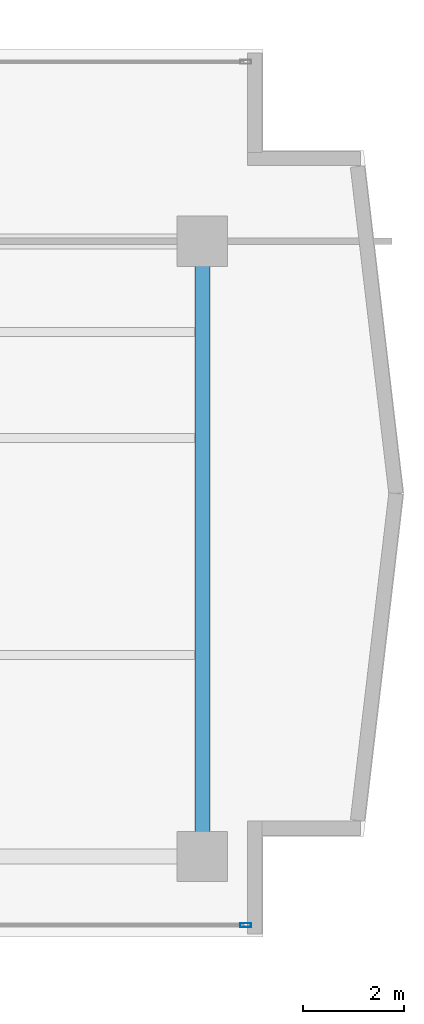
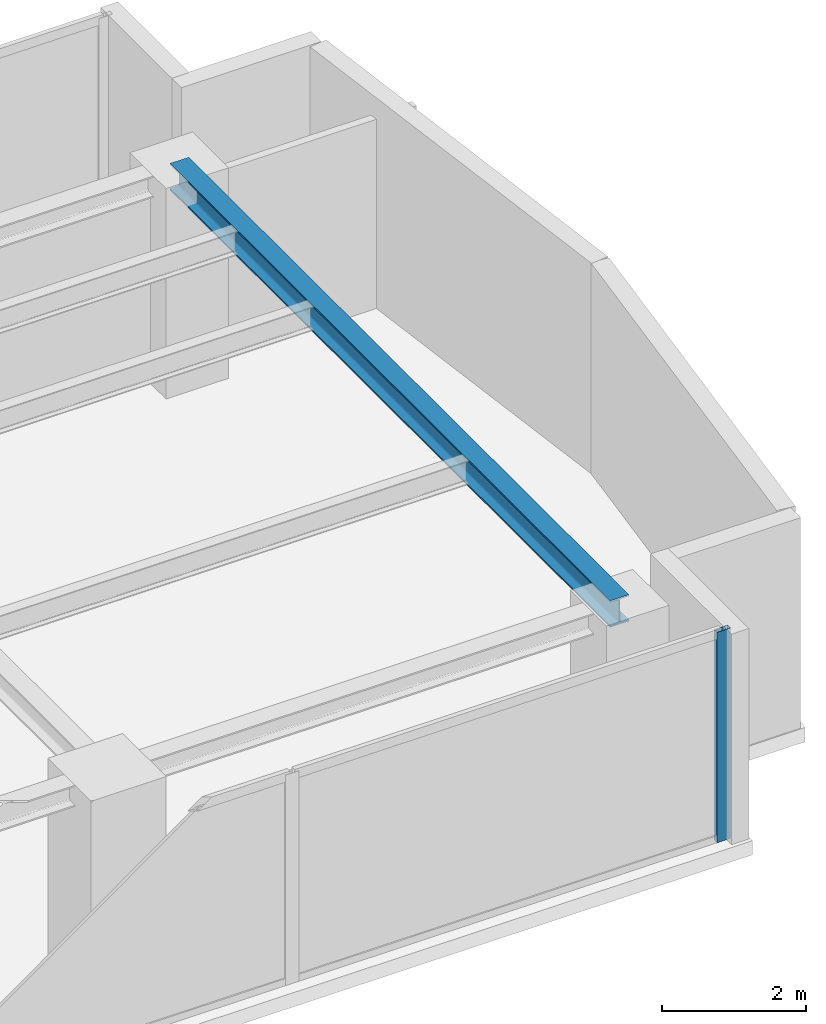
# One storey, part 12 of 26: 1 beam, 1 member, 1 element without a shape of its own.
"""IFC4 building model written with IfcOpenShell, lengths in metres."""

import ifcopenshell
import ifcopenshell.guid

model = None  # the IFC model being written
_history = None  # IfcOwnerHistory: only IFC2X3 demands one
_inside = {}  # id of a spatial element -> (the spatial element, [elements in it])
_under = {}  # id of a project, library or spatial element -> (it, [spatial elements below it])
_declared = {}  # id of a project -> (the project, [libraries it declares])
_typed = {}  # id of a type object -> (the type object, [elements of that type])
_made_of = {}  # id of a material, layer set ... -> (it, [elements and type objects made of it])


def new_model(schema):
    """Start an empty IFC model of exactly this schema.

    Asked for "IFC4X3", IfcOpenShell would pick the latest addendum, in which some entities
    have other attributes; the version numbers below select the first issue.
    IFC2X3 requires an IfcOwnerHistory on every rooted entity: one is made here for all.
    """
    global model, _history
    if schema == "IFC4X3":
        model = ifcopenshell.file(schema_version=(4, 3, 0, 0))
    else:
        model = ifcopenshell.file(schema=schema)
    _inside.clear()
    _under.clear()
    _declared.clear()
    _typed.clear()
    _made_of.clear()
    _history = None
    if model.schema == "IFC2X3":
        org = make("IfcOrganization", Name="unknown")
        user = make(
            "IfcPersonAndOrganization",
            ThePerson=make("IfcPerson", FamilyName="unknown"),
            TheOrganization=org,
        )
        app = make(
            "IfcApplication",
            ApplicationDeveloper=org,
            Version="unknown",
            ApplicationFullName="unknown",
            ApplicationIdentifier="unknown",
        )
        _history = make(
            "IfcOwnerHistory",
            OwningUser=user,
            OwningApplication=app,
            ChangeAction="ADDED",
            CreationDate=0,
        )
    return model


def make(cls, **values):
    """One entity of the class cls with the attributes given. An attribute that is None is left unset."""
    return model.create_entity(
        cls, **{name: value for name, value in values.items() if value is not None}
    )


def rooted(cls, **values):
    """An entity with a GlobalId (a new one), such as an element, a storey or a relation."""
    return make(cls, GlobalId=ifcopenshell.guid.new(), OwnerHistory=_history, **values)


def si_unit(unit_type, name, prefix=None):
    """IfcSIUnit, for example si_unit("LENGTHUNIT", "METRE", prefix="MILLI")."""
    return make("IfcSIUnit", UnitType=unit_type, Prefix=prefix, Name=name)


def assignment(units):
    """IfcUnitAssignment: the units of a project."""
    return None if units is None else make("IfcUnitAssignment", Units=units)


def point(xyz):
    """IfcCartesianPoint."""
    return None if xyz is None else make("IfcCartesianPoint", Coordinates=xyz)


def direction(xyz):
    """IfcDirection."""
    return None if xyz is None else make("IfcDirection", DirectionRatios=xyz)


def frame(location, z_axis=None, x_axis=None):
    """IfcAxis2Placement3D, a coordinate frame: its origin and axes. An axis left out is left unset."""
    return make(
        "IfcAxis2Placement3D",
        Location=point(location),
        Axis=direction(z_axis),
        RefDirection=direction(x_axis),
    )


def frame_2d(location, x_axis=None):
    """IfcAxis2Placement2D, a coordinate frame in the plane: its origin and x axis."""
    return make(
        "IfcAxis2Placement2D", Location=point(location), RefDirection=direction(x_axis)
    )


def origin():
    """The frame at (0, 0, 0) with its axes left unset."""
    return frame((0.0, 0.0, 0.0))


def origin_with_axes():
    """The frame at (0, 0, 0) with the z axis (0, 0, 1) and the x axis (1, 0, 0) written out."""
    return frame((0.0, 0.0, 0.0), z_axis=(0.0, 0.0, 1.0), x_axis=(1.0, 0.0, 0.0))


def origin_2d():
    """The frame at (0, 0) in the plane with its x axis left unset."""
    return frame_2d((0.0, 0.0))


def place(relative_to, where):
    """IfcLocalPlacement: puts the frame where relative to a parent placement (None: the world)."""
    return make(
        "IfcLocalPlacement", PlacementRelTo=relative_to, RelativePlacement=where
    )


def context(
    kind, dimensions, precision=None, world=None, true_north=None, identifier=None
):
    """IfcGeometricRepresentationContext, for example the 3D "Model" context."""
    return make(
        "IfcGeometricRepresentationContext",
        ContextIdentifier=identifier,
        ContextType=kind,
        CoordinateSpaceDimension=dimensions,
        Precision=precision,
        WorldCoordinateSystem=world,
        TrueNorth=true_north,
    )


def subcontext(parent, identifier, kind, view, scale=None):
    """IfcGeometricRepresentationSubContext, for example "Body" below "Model"."""
    return make(
        "IfcGeometricRepresentationSubContext",
        ContextIdentifier=identifier,
        ContextType=kind,
        ParentContext=parent,
        TargetScale=scale,
        TargetView=view,
    )


def project(units=None, contexts=None):
    """IfcProject with its units and contexts."""
    return rooted(
        "IfcProject",
        Name="project",
        RepresentationContexts=contexts,
        UnitsInContext=assignment(units),
    )


def spatial(cls, under=None, at=None, **own):
    """A site, building, storey or space (cls), placed at a placement, below another one or the project."""
    s = rooted(cls, ObjectPlacement=at, **own)
    if under is not None:
        _under.setdefault(under.id(), (under, []))[1].append(s)
    return s


def profile(cls, at=None, kind="AREA", **sizes):
    """A parametric profile (cls). Its sizes go by their IFC names, for example OverallWidth=200.0."""
    return make(cls, ProfileType=kind, Position=at, **sizes)


def hollow_rectangle(**sizes):
    """IfcRectangleHollowProfileDef."""
    return profile("IfcRectangleHollowProfileDef", **sizes)


def i_section(**sizes):
    """IfcIShapeProfileDef."""
    return profile("IfcIShapeProfileDef", **sizes)


def extrude(swept, where, along, depth):
    """IfcExtrudedAreaSolid: the profile swept, set in the frame where, extruded along a direction by depth."""
    return make(
        "IfcExtrudedAreaSolid",
        SweptArea=swept,
        Position=where,
        ExtrudedDirection=direction(along),
        Depth=depth,
    )


def shape(context_of_items, identifier, shape_type, items):
    """IfcShapeRepresentation: the items that make up one representation, for example the "Body"."""
    return make(
        "IfcShapeRepresentation",
        ContextOfItems=context_of_items,
        RepresentationIdentifier=identifier,
        RepresentationType=shape_type,
        Items=items,
    )


def source(mapping_origin, context_of_items, identifier, shape_type, items):
    """IfcRepresentationMap: a shape defined once, which mapped items show again and again."""
    return make(
        "IfcRepresentationMap",
        MappingOrigin=mapping_origin,
        MappedRepresentation=shape(context_of_items, identifier, shape_type, items),
    )


def transform(
    local_origin,
    x_axis=None,
    y_axis=None,
    z_axis=None,
    scale=None,
    scale2=None,
    scale3=None,
    uniform=True,
):
    """IfcCartesianTransformationOperator3D, or its non-uniform kind. x_axis, y_axis, z_axis: its Axis1, 2, 3."""
    if uniform:
        return make(
            "IfcCartesianTransformationOperator3D",
            Axis1=direction(x_axis),
            Axis2=direction(y_axis),
            LocalOrigin=point(local_origin),
            Scale=scale,
            Axis3=direction(z_axis),
        )
    return make(
        "IfcCartesianTransformationOperator3DnonUniform",
        Axis1=direction(x_axis),
        Axis2=direction(y_axis),
        LocalOrigin=point(local_origin),
        Scale=scale,
        Axis3=direction(z_axis),
        Scale2=scale2,
        Scale3=scale3,
    )


def mapped(mapping_source, mapping_target):
    """IfcMappedItem: shows the shape of a source again, moved by a transform."""
    return make(
        "IfcMappedItem", MappingSource=mapping_source, MappingTarget=mapping_target
    )


def material(Name=None, Category=None):
    """IfcMaterial."""
    return make("IfcMaterial", Name=Name, Category=Category)


def layer(
    of_material, thickness, ventilated=None, Name=None, Category=None, Priority=None
):
    """IfcMaterialLayer: one layer of a wall or slab, of a material (None: an air gap)."""
    return make(
        "IfcMaterialLayer",
        Material=of_material,
        LayerThickness=thickness,
        IsVentilated=ventilated,
        Name=Name,
        Category=Category,
        Priority=Priority,
    )


def layer_set(layers, Name=None):
    """IfcMaterialLayerSet."""
    return make("IfcMaterialLayerSet", MaterialLayers=layers, LayerSetName=Name)


def material_profile(
    of_material, cross_section, Name=None, Category=None, Priority=None
):
    """IfcMaterialProfile: a cross section and its material."""
    return make(
        "IfcMaterialProfile",
        Name=Name,
        Material=of_material,
        Profile=cross_section,
        Priority=Priority,
        Category=Category,
    )


def profile_set(profiles, Name=None, composite=None):
    """IfcMaterialProfileSet."""
    return make(
        "IfcMaterialProfileSet",
        Name=Name,
        MaterialProfiles=profiles,
        CompositeProfile=composite,
    )


def made_of(thing, what):
    """Note that an element or type object is made of a material, layer set ...; save() writes the relation."""
    if what is not None:
        _made_of.setdefault(what.id(), (what, []))[1].append(thing)
    return thing


def type_object(cls, material=None, **own):
    """A type object (cls), such as IfcWallType, which elements share."""
    return made_of(rooted(cls, **own), material)


def element(
    cls,
    number,
    at=None,
    inside=None,
    cuts=None,
    type_object=None,
    material=None,
    context=None,
    identifier="Body",
    shape_type=None,
    held_by="IfcProductDefinitionShape",
    body=None,
    shapes=None,
    **own,
):
    """One element of the class cls, such as IfcWall. Its Tag is "e" and its number.

    at: its placement. inside: the storey or other place that contains it. cuts: it is an
    opening in that element (IfcRelVoidsElement). A single representation is given by context,
    identifier, shape_type and body (its items); several are given by shapes. held_by: the class
    of the entity that holds the representations. save() writes the other relations.
    """
    e = rooted(cls, Tag="e%d" % number, ObjectPlacement=at, **own)
    if body is not None:
        shapes = [shape(context, identifier, shape_type, body)]
    if shapes is not None:
        e.Representation = make(held_by, Representations=shapes)
    if inside is not None:
        _inside.setdefault(inside.id(), (inside, []))[1].append(e)
    if cuts is not None:
        rooted(
            "IfcRelVoidsElement", RelatingBuildingElement=cuts, RelatedOpeningElement=e
        )
    if type_object is not None:
        _typed.setdefault(type_object.id(), (type_object, []))[1].append(e)
    return made_of(e, material)


def aggregate(whole, parts):
    """IfcRelAggregates: a whole, such as a stair, and the parts it consists of."""
    return rooted("IfcRelAggregates", RelatingObject=whole, RelatedObjects=parts)


def save(model, path):
    """Write the relations noted so far, then the file.

    IfcRelAggregates (storeys below a building ...), IfcRelContainedInSpatialStructure (elements
    in a storey), IfcRelDefinesByType, IfcRelAssociatesMaterial and IfcRelDeclares: one each for
    every whole, place, type object, material and project.
    """
    for whole, parts in _under.values():
        aggregate(whole, parts)
    for where, things in _inside.values():
        rooted(
            "IfcRelContainedInSpatialStructure",
            RelatedElements=things,
            RelatingStructure=where,
        )
    for kind, things in _typed.values():
        rooted("IfcRelDefinesByType", RelatedObjects=things, RelatingType=kind)
    for what, things in _made_of.values():
        rooted("IfcRelAssociatesMaterial", RelatedObjects=things, RelatingMaterial=what)
    for by, libraries in _declared.values():
        rooted("IfcRelDeclares", RelatingContext=by, RelatedDefinitions=libraries)
    model.write(path)


model = new_model("IFC4")

# Units and contexts
model_context = context("Model", 3, precision=1e-05, world=origin(), true_north=direction((0.0, 1.0)))
body_context = subcontext(model_context, "Body", "Model", "MODEL_VIEW")
ifc_project = project(units=[si_unit("LENGTHUNIT", "METRE"), si_unit("AREAUNIT", "SQUARE_METRE"), si_unit("VOLUMEUNIT", "CUBIC_METRE"), si_unit("PLANEANGLEUNIT", "RADIAN"), si_unit("MASSUNIT", "GRAM", prefix="KILO")], contexts=[model_context])

# Site, building, storey
site_placement = place(None, origin())
site = spatial("IfcSite", under=ifc_project, at=site_placement, CompositionType="ELEMENT")
building_placement = place(site_placement, origin())
building = spatial("IfcBuilding", under=site, at=building_placement, Name="Kolvaren Waterfront Exchange", CompositionType="ELEMENT")
storey_placement = place(building_placement, frame((0.0, 0.0, 150.0)))
storey = spatial("IfcBuildingStorey", under=building, at=storey_placement, Name="L38", CompositionType="ELEMENT", Elevation=150.0)

# Beam
ifc_material_1 = material(Name="Steel S355", Category="steel")
ifc_material_profile_1 = material_profile(ifc_material_1, i_section(OverallWidth=0.300048828125, OverallDepth=0.449951171875, WebThickness=0.013916015625, FlangeThickness=0.02587890625, FilletRadius=0.027099609375, at=origin_2d()), Name="HEB450")
ifc_profile_set_1 = profile_set([ifc_material_profile_1], Name="Steel S355")
beam_type = type_object("IfcBeamType", Name="STR-BM-HEB450", PredefinedType="BEAM", material=ifc_profile_set_1)
beam_placement = place(storey_placement, frame((53.800048828125, 5.199951171875, 3.3349609375), z_axis=(0.0, 1.0, 0.0), x_axis=(-1.0, 0.0, 0.0)))
element("IfcBeam", 1, at=beam_placement, inside=storey, type_object=beam_type, Name="L38 east-arm transverse girder X53", PredefinedType="BEAM", context=body_context, shape_type="SweptSolid", body=[
    extrude(i_section(OverallWidth=0.300048828125, OverallDepth=0.449951171875, WebThickness=0.013916015625, FlangeThickness=0.02587890625, FilletRadius=0.027099609375, at=origin_2d()), origin(), (0.0, 0.0, 1.0), 12.199951171875),
])

# Curtain wall, member
ifc_material_2 = material(Name="Anodised bronze aluminium 6063-T6", Category="aluminium")
ifc_layer = layer(ifc_material_2, 0.219970703125, Name="Anodised bronze aluminium 6063-T6")
ifc_layer_set = layer_set([ifc_layer], Name="Anodised bronze aluminium 6063-T6")
curtain_wall_type = type_object("IfcCurtainWallType", Name="ARC-CW-SYS1", PredefinedType="USERDEFINED", material=ifc_layer_set)
curtain_wall_placement = place(storey_placement, origin())
curtain_wall = element("IfcCurtainWall", 2, at=curtain_wall_placement, inside=storey, type_object=curtain_wall_type, Name="L38 stick curtain wall CW1 (CW-L38-S)", ObjectType="STICK CURTAIN WALL", PredefinedType="USERDEFINED")
ifc_material_3 = material(Name="Anodised aluminium 6063-T6", Category="aluminium")
ifc_material_profile_2 = material_profile(ifc_material_3, hollow_rectangle(XDim=0.080078125, YDim=0.219970703125, WallThickness=0.0048828125, at=origin_2d()), Name="ALU-MUL-220x80x5")
ifc_profile_set_2 = profile_set([ifc_material_profile_2], Name="Anodised aluminium 6063-T6")
member_type = type_object("IfcMemberType", Name="ARC-CWM-220", PredefinedType="MULLION", material=ifc_profile_set_2)
shared_shape = source(origin_with_axes(), body_context, "Body", "SweptSolid", [
    extrude(hollow_rectangle(XDim=0.080078125, YDim=0.219970703125, WallThickness=0.0048828125, at=origin_2d()), origin(), (0.0, 0.0, 1.0), 3.56005859375),
])
member_placement = place(storey_placement, frame((54.659912109375, 3.840087890625, 0.0), z_axis=(0.0, 0.0, 1.0), x_axis=(0.0, 1.0, 0.0)))
member = element("IfcMember", 3, at=member_placement, type_object=member_type, Name="CW1 mullion 8", PredefinedType="MULLION", context=body_context, shape_type="MappedRepresentation", body=[
    mapped(shared_shape, transform((0.0, 0.0, 0.0), x_axis=(1.0, 0.0, 0.0), y_axis=(0.0, 1.0, 0.0), z_axis=(0.0, 0.0, 1.0), scale=1.0)),
])
aggregate(curtain_wall, [member])

save(model, "model.ifc")
